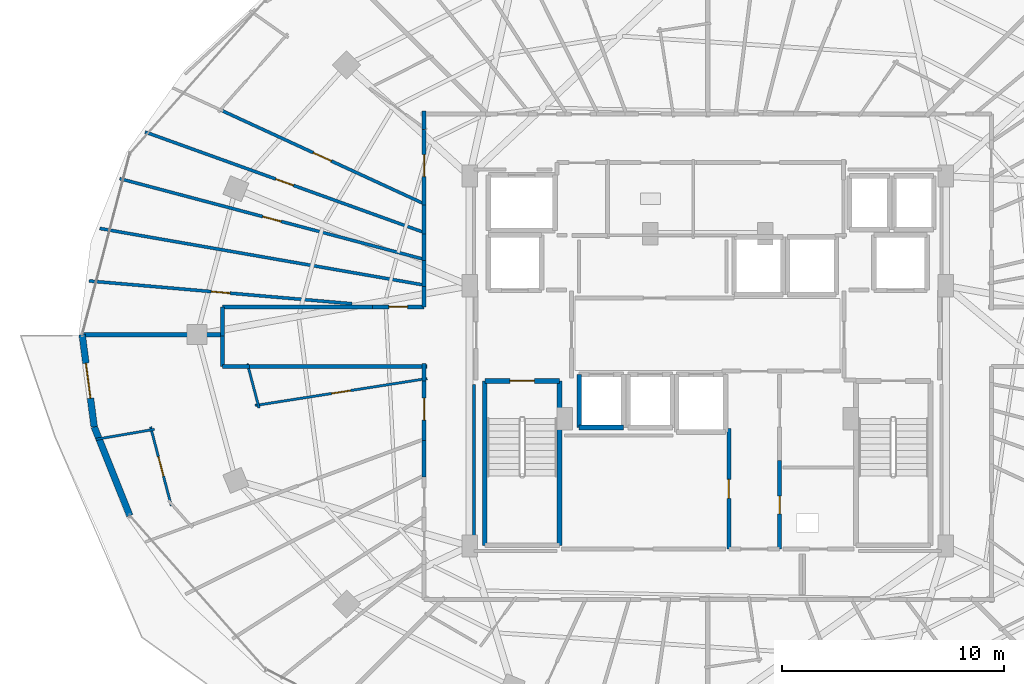
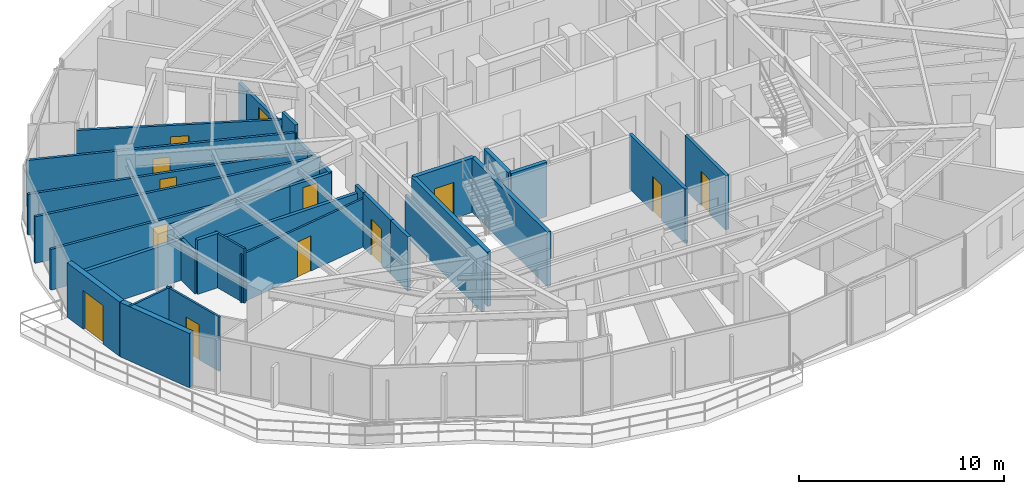
# One storey, part 24 of 33: 35 walls, 13 doors, 13 openings.
"""IFC4 building model written with IfcOpenShell, lengths in metres."""

from ifc_helpers import new_model, si_unit, direction, frame, frame_2d, origin, place, context, subcontext, project, spatial, rectangle, extrude, material, layer, layer_set, type_object, element, fill, save


model = new_model("IFC4")

# Units and contexts
model_context = context("Model", 3, precision=1e-05, world=origin(), true_north=direction((0.0, 1.0)))
body_context = subcontext(model_context, "Body", "Model", "MODEL_VIEW")
ifc_project = project(units=[si_unit("LENGTHUNIT", "METRE"), si_unit("AREAUNIT", "SQUARE_METRE"), si_unit("VOLUMEUNIT", "CUBIC_METRE"), si_unit("PLANEANGLEUNIT", "RADIAN"), si_unit("MASSUNIT", "GRAM", prefix="KILO")], contexts=[model_context])

# Site, building, storey
site_placement = place(None, origin())
site = spatial("IfcSite", under=ifc_project, at=site_placement, CompositionType="ELEMENT")
building_placement = place(site_placement, origin())
building = spatial("IfcBuilding", under=site, at=building_placement, Name="Vorneva Point Tower", CompositionType="ELEMENT")
storey_placement = place(building_placement, frame((0.0, 0.0, 179.10009765625)))
storey = spatial("IfcBuildingStorey", under=building, at=storey_placement, Name="L48", CompositionType="ELEMENT", Elevation=179.10009765625)

# Wall, opening, door
ifc_material_1 = material(Name="Precast concrete B50 (C40/50)", Category="concrete")
ifc_layer_1 = layer(ifc_material_1, 0.300048828125)
ifc_layer_set_1 = layer_set([ifc_layer_1], Name="Precast concrete B50 (C40/50)")
wall_type_1 = type_object("IfcWallType", Name="WL-EXT-300", PredefinedType="STANDARD", material=ifc_layer_set_1)
wall_1_placement = place(storey_placement, frame((9.77001953125, 26.0, 0.0), z_axis=(0.0, 0.0, 1.0), x_axis=(0.129147853268, -0.991625348605, 0.0)))
wall_1 = element("IfcWall", 1, at=wall_1_placement, inside=storey, type_object=wall_type_1, Name="L48 Pale-Metal Facade Spandrel Wall 09.1", PredefinedType="STANDARD", context=body_context, shape_type="SweptSolid", body=[
    extrude(rectangle(XDim=4.200439453125, YDim=0.300048828125, at=frame_2d((2.10009765625, 0.0))), origin(), (0.0, 0.0, 1.0), 3.239990234375),
])
opening_1_placement = place(wall_1_placement, frame((1.30029296875, 0.0, 0.0)))
opening_1 = element("IfcOpeningElement", 2, at=opening_1_placement, cuts=wall_1, Name="Opening BD-01", PredefinedType="OPENING", context=body_context, shape_type="SweptSolid", body=[
    extrude(rectangle(XDim=1.60009765625, YDim=2.300048828125, at=frame_2d((0.800048828125, 1.14990234375))), frame((0.0, 0.1650390625, 0.0), z_axis=(0.0, -1.0, 0.0), x_axis=(1.0, 0.0, 0.0)), (0.0, 0.0, 1.0), 0.329833984375),
])
ifc_material_2 = material(Name="Pale anodised aluminium", Category="aluminium")
door_type_1 = type_object("IfcDoorType", Name="DR-BAL-1600", OperationType="SLIDING_TO_LEFT", PredefinedType="DOOR", material=ifc_material_2)
door_1_placement = place(opening_1_placement, origin())
door_1 = element("IfcDoor", 3, at=door_1_placement, inside=storey, type_object=door_type_1, Name="L48 Balcony Terrace Access Door 09", OperationType="SLIDING_TO_LEFT", OverallHeight=2.300048828125, OverallWidth=1.60009765625, PredefinedType="DOOR", context=body_context, shape_type="SweptSolid", body=[
    extrude(rectangle(XDim=1.60009765625, YDim=2.300048828125, at=frame_2d((0.800048828125, 1.14990234375))), frame((0.0, 0.02490234375, 0.0), z_axis=(0.0, -1.0, 0.0), x_axis=(1.0, 0.0, 0.0)), (0.0, 0.0, 1.0), 0.050048828125),
])
fill(opening_1, door_1)

# Wall
wall_2_placement = place(storey_placement, frame((10.3125, 21.834716796875, 0.0), z_axis=(0.0, 0.0, 1.0), x_axis=(0.372268409848, -0.928125116043, 0.0)))
element("IfcWall", 4, at=wall_2_placement, inside=storey, type_object=wall_type_1, Name="L48 Pale-Metal Facade Spandrel Wall 09.2", PredefinedType="STANDARD", context=body_context, shape_type="SweptSolid", body=[
    extrude(rectangle(XDim=4.315185546875, YDim=0.300048828125, at=frame_2d((2.15771484375, 0.0))), origin(), (0.0, 0.0, 1.0), 3.239990234375),
])

# Wall, opening, door
ifc_material_3 = material(Name="Fire-rated acoustic gypsum stud partition", Category="gypsum")
ifc_layer_2 = layer(ifc_material_3, 0.110107421875)
ifc_layer_set_2 = layer_set([ifc_layer_2], Name="Fire-rated acoustic gypsum stud partition")
wall_type_2 = type_object("IfcWallType", Name="WL-PART-110", PredefinedType="PARTITIONING", material=ifc_layer_set_2)
wall_3_placement = place(storey_placement, frame((25.33837890625, 24.0146484375, 0.0), z_axis=(0.0, 0.0, 1.0), x_axis=(-0.987940229144, -0.154835731144, 0.0)))
wall_3 = element("IfcWall", 5, at=wall_3_placement, inside=storey, type_object=wall_type_2, Name="L48 Interior Partition 143", PredefinedType="PARTITIONING", context=body_context, shape_type="SweptSolid", body=[
    extrude(rectangle(XDim=7.85546875, YDim=0.110107421875, at=frame_2d((3.927734375, 0.0))), origin(), (0.0, 0.0, 1.0), 2.8740234375),
])
opening_2_placement = place(wall_3_placement, frame((3.502685546875, 0.0, 0.0)))
opening_2 = element("IfcOpeningElement", 6, at=opening_2_placement, cuts=wall_3, Name="Opening ID-02", PredefinedType="OPENING", context=body_context, shape_type="SweptSolid", body=[
    extrude(rectangle(XDim=0.85009765625, YDim=2.10009765625, at=frame_2d((0.425048828125, 1.050048828125))), frame((0.0, 0.06982421875, 0.0), z_axis=(0.0, -1.0, 0.0), x_axis=(1.0, 0.0, 0.0)), (0.0, 0.0, 1.0), 0.139892578125),
])
ifc_material_4 = material(Name="Engineered oak fire-rated door leaf", Category="wood")
door_type_2 = type_object("IfcDoorType", Name="DR-BATH-850", OperationType="NOTDEFINED", PredefinedType="DOOR", material=ifc_material_4)
door_2_placement = place(opening_2_placement, origin())
door_2 = element("IfcDoor", 7, at=door_2_placement, inside=storey, type_object=door_type_2, Name="L48 Door Living and Dining Room L48-05 / Bathroom L48-05", OperationType="SINGLE_SWING_RIGHT", OverallHeight=2.10009765625, OverallWidth=0.85009765625, PredefinedType="DOOR", context=body_context, shape_type="SweptSolid", body=[
    extrude(rectangle(XDim=0.85009765625, YDim=2.10009765625, at=frame_2d((0.425048828125, 1.050048828125))), frame((0.0, 0.02490234375, 0.0), z_axis=(0.0, -1.0, 0.0), x_axis=(1.0, 0.0, 0.0)), (0.0, 0.0, 1.0), 0.050048828125),
])
fill(opening_2, door_2)

# Walls
wall_4_placement = place(storey_placement, frame((17.751708984375, 22.6845703125, 0.0), z_axis=(0.0, 0.0, 1.0), x_axis=(-0.254429402158, 0.967091350038, 0.0)))
element("IfcWall", 8, at=wall_4_placement, inside=storey, type_object=wall_type_2, Name="L48 Interior Partition 144", PredefinedType="PARTITIONING", context=body_context, shape_type="SweptSolid", body=[
    extrude(rectangle(XDim=2.06884765625, YDim=0.110107421875, at=frame_2d((1.034423828125, 0.0))), origin(), (0.0, 0.0, 1.0), 3.239990234375),
])
wall_5_placement = place(storey_placement, frame((10.39404296875, 21.271484375, 0.0), z_axis=(0.0, 0.0, 1.0), x_axis=(0.985656128296, 0.168766100722, 0.0)))
element("IfcWall", 9, at=wall_5_placement, inside=storey, type_object=wall_type_2, Name="L48 Interior Partition 145", PredefinedType="PARTITIONING", context=body_context, shape_type="SweptSolid", body=[
    extrude(rectangle(XDim=2.67333984375, YDim=0.110107421875, at=frame_2d((1.336669921875, 0.0))), origin(), (0.0, 0.0, 1.0), 3.239990234375),
])

# Wall, opening, door
wall_6_placement = place(storey_placement, frame((12.85546875, 21.83447265625, 0.0), z_axis=(0.0, 0.0, 1.0), x_axis=(0.254271540361, -0.967132867688, 0.0)))
wall_6 = element("IfcWall", 10, at=wall_6_placement, inside=storey, type_object=wall_type_2, Name="L48 Interior Partition 146", PredefinedType="PARTITIONING", context=body_context, shape_type="SweptSolid", body=[
    extrude(rectangle(XDim=3.68505859375, YDim=0.110107421875, at=frame_2d((1.842529296875, 0.0))), origin(), (0.0, 0.0, 1.0), 3.239990234375),
])
opening_3_placement = place(wall_6_placement, frame((1.392578125, 0.0, 0.0)))
opening_3 = element("IfcOpeningElement", 11, at=opening_3_placement, cuts=wall_6, Name="Opening ID-01", PredefinedType="OPENING", context=body_context, shape_type="SweptSolid", body=[
    extrude(rectangle(XDim=0.89990234375, YDim=2.10009765625, at=frame_2d((0.449951171875, 1.050048828125))), frame((0.0, 0.06982421875, 0.0), z_axis=(0.0, -1.0, 0.0), x_axis=(1.0, 0.0, 0.0)), (0.0, 0.0, 1.0), 0.139892578125),
])
door_type_3 = type_object("IfcDoorType", Name="DR-ROOM-900", OperationType="NOTDEFINED", PredefinedType="DOOR", material=ifc_material_4)
door_3_placement = place(opening_3_placement, origin())
door_3 = element("IfcDoor", 12, at=door_3_placement, inside=storey, type_object=door_type_3, Name="L48 Door Living and Dining Room L48-05 / Kitchen L48-05", OperationType="SINGLE_SWING_LEFT", OverallHeight=2.10009765625, OverallWidth=0.89990234375, PredefinedType="DOOR", context=body_context, shape_type="SweptSolid", body=[
    extrude(rectangle(XDim=0.89990234375, YDim=2.10009765625, at=frame_2d((0.449951171875, 1.050048828125))), frame((0.0, 0.02490234375, 0.0), z_axis=(0.0, -1.0, 0.0), x_axis=(1.0, 0.0, 0.0)), (0.0, 0.0, 1.0), 0.050048828125),
])
fill(opening_3, door_3)

ifc_layer_3 = layer(ifc_material_3, 0.139892578125)
ifc_layer_set_3 = layer_set([ifc_layer_3], Name="Fire-rated acoustic gypsum stud partition")
wall_type_3 = type_object("IfcWallType", Name="WL-PART-140", PredefinedType="PARTITIONING", material=ifc_layer_set_3)
wall_7_placement = place(storey_placement, frame((16.006103515625, 36.138916015625, 0.0), z_axis=(0.0, 0.0, 1.0), x_axis=(0.908157621609, -0.41862839645, 0.0)))
wall_7 = element("IfcWall", 13, at=wall_7_placement, inside=storey, type_object=wall_type_3, Name="L48 Interior Partition 136", PredefinedType="PARTITIONING", context=body_context, shape_type="SweptSolid", body=[
    extrude(rectangle(XDim=10.12353515625, YDim=0.139892578125, at=frame_2d((5.061767578125, 0.0))), origin(), (0.0, 0.0, 1.0), 2.77392578125),
])
opening_4_placement = place(wall_7_placement, frame((4.61181640625, 0.0, 0.0)))
opening_4 = element("IfcOpeningElement", 14, at=opening_4_placement, cuts=wall_7, Name="Opening ID-01", PredefinedType="OPENING", context=body_context, shape_type="SweptSolid", body=[
    extrude(rectangle(XDim=0.89990234375, YDim=2.10009765625, at=frame_2d((0.449951171875, 1.050048828125))), frame((0.0, 0.0849609375, 0.0), z_axis=(0.0, -1.0, 0.0), x_axis=(1.0, 0.0, 0.0)), (0.0, 0.0, 1.0), 0.169677734375),
])
door_4_placement = place(opening_4_placement, origin())
door_4 = element("IfcDoor", 15, at=door_4_placement, inside=storey, type_object=door_type_3, Name="L48 Door Living and Dining Room L48-04 / Master Bedroom L48-04.1", OperationType="SINGLE_SWING_LEFT", OverallHeight=2.10009765625, OverallWidth=0.89990234375, PredefinedType="DOOR", context=body_context, shape_type="SweptSolid", body=[
    extrude(rectangle(XDim=0.89990234375, YDim=2.10009765625, at=frame_2d((0.449951171875, 1.050048828125))), frame((0.0, 0.02490234375, 0.0), z_axis=(0.0, -1.0, 0.0), x_axis=(1.0, 0.0, 0.0)), (0.0, 0.0, 1.0), 0.050048828125),
])
fill(opening_4, door_4)

wall_8_placement = place(storey_placement, frame((12.60888671875, 35.14111328125, 0.0), z_axis=(0.0, 0.0, 1.0), x_axis=(0.940877411069, -0.338747246985, 0.0)))
wall_8 = element("IfcWall", 16, at=wall_8_placement, inside=storey, type_object=wall_type_3, Name="L48 Interior Partition 138", PredefinedType="PARTITIONING", context=body_context, shape_type="SweptSolid", body=[
    extrude(rectangle(XDim=13.38232421875, YDim=0.139892578125, at=frame_2d((6.691162109375, 0.0))), origin(), (0.0, 0.0, 1.0), 2.77392578125),
])
opening_5_placement = place(wall_8_placement, frame((6.26611328125, 0.0, 0.0)))
opening_5 = element("IfcOpeningElement", 17, at=opening_5_placement, cuts=wall_8, Name="Opening ID-02", PredefinedType="OPENING", context=body_context, shape_type="SweptSolid", body=[
    extrude(rectangle(XDim=0.85009765625, YDim=2.10009765625, at=frame_2d((0.425048828125, 1.050048828125))), frame((0.0, 0.0849609375, 0.0), z_axis=(0.0, -1.0, 0.0), x_axis=(1.0, 0.0, 0.0)), (0.0, 0.0, 1.0), 0.169677734375),
])
door_5_placement = place(opening_5_placement, origin())
door_5 = element("IfcDoor", 18, at=door_5_placement, inside=storey, type_object=door_type_2, Name="L48 Access Door Master Bedroom L48-04.1", OperationType="SINGLE_SWING_LEFT", OverallHeight=2.10009765625, OverallWidth=0.85009765625, PredefinedType="DOOR", context=body_context, shape_type="SweptSolid", body=[
    extrude(rectangle(XDim=0.85009765625, YDim=2.10009765625, at=frame_2d((0.425048828125, 1.050048828125))), frame((0.0, 0.02490234375, 0.0), z_axis=(0.0, -1.0, 0.0), x_axis=(1.0, 0.0, 0.0)), (0.0, 0.0, 1.0), 0.050048828125),
])
fill(opening_5, door_5)

wall_9_placement = place(storey_placement, frame((11.465087890625, 33.035888671875, 0.0), z_axis=(0.0, 0.0, 1.0), x_axis=(0.966598137313, -0.256296782934, 0.0)))
wall_9 = element("IfcWall", 19, at=wall_9_placement, inside=storey, type_object=wall_type_3, Name="L48 Interior Partition 139", PredefinedType="PARTITIONING", context=body_context, shape_type="SweptSolid", body=[
    extrude(rectangle(XDim=14.20947265625, YDim=0.139892578125, at=frame_2d((7.104736328125, 0.0))), origin(), (0.0, 0.0, 1.0), 2.431884765625),
])
opening_6_placement = place(wall_9_placement, frame((6.6796875, 0.0, 0.0)))
opening_6 = element("IfcOpeningElement", 20, at=opening_6_placement, cuts=wall_9, Name="Opening ID-02", PredefinedType="OPENING", context=body_context, shape_type="SweptSolid", body=[
    extrude(rectangle(XDim=0.85009765625, YDim=2.10009765625, at=frame_2d((0.425048828125, 1.050048828125))), frame((0.0, 0.0849609375, 0.0), z_axis=(0.0, -1.0, 0.0), x_axis=(1.0, 0.0, 0.0)), (0.0, 0.0, 1.0), 0.169677734375),
])
door_6_placement = place(opening_6_placement, origin())
door_6 = element("IfcDoor", 21, at=door_6_placement, inside=storey, type_object=door_type_2, Name="L48 Access Door Bedroom L48-04.2", OperationType="SINGLE_SWING_RIGHT", OverallHeight=2.10009765625, OverallWidth=0.85009765625, PredefinedType="DOOR", context=body_context, shape_type="SweptSolid", body=[
    extrude(rectangle(XDim=0.85009765625, YDim=2.10009765625, at=frame_2d((0.425048828125, 1.050048828125))), frame((0.0, 0.02490234375, 0.0), z_axis=(0.0, -1.0, 0.0), x_axis=(1.0, 0.0, 0.0)), (0.0, 0.0, 1.0), 0.050048828125),
])
fill(opening_6, door_6)

# Wall
wall_10_placement = place(storey_placement, frame((10.56494140625, 30.7880859375, 0.0), z_axis=(0.0, 0.0, 1.0), x_axis=(0.985109541297, -0.171927867563, 0.0)))
element("IfcWall", 22, at=wall_10_placement, inside=storey, type_object=wall_type_3, Name="L48 Interior Partition 140", PredefinedType="PARTITIONING", context=body_context, shape_type="SweptSolid", body=[
    extrude(rectangle(XDim=14.856201171875, YDim=0.139892578125, at=frame_2d((7.42822265625, 0.0))), origin(), (0.0, 0.0, 1.0), 2.77392578125),
])

# Wall, opening, door
wall_11_placement = place(storey_placement, frame((10.0859375, 28.41796875, 0.0), z_axis=(0.0, 0.0, 1.0), x_axis=(0.996267232338, -0.08632266081, 0.0)))
wall_11 = element("IfcWall", 23, at=wall_11_placement, inside=storey, type_object=wall_type_3, Name="L48 Interior Partition 141", PredefinedType="PARTITIONING", context=body_context, shape_type="SweptSolid", body=[
    extrude(rectangle(XDim=11.90966796875, YDim=0.139892578125, at=frame_2d((5.954833984375, 0.0))), origin(), (0.0, 0.0, 1.0), 2.431884765625),
])
opening_7_placement = place(wall_11_placement, frame((5.52978515625, 0.0, 0.0)))
opening_7 = element("IfcOpeningElement", 24, at=opening_7_placement, cuts=wall_11, Name="Opening ID-02", PredefinedType="OPENING", context=body_context, shape_type="SweptSolid", body=[
    extrude(rectangle(XDim=0.85009765625, YDim=2.10009765625, at=frame_2d((0.425048828125, 1.050048828125))), frame((0.0, 0.0849609375, 0.0), z_axis=(0.0, -1.0, 0.0), x_axis=(1.0, 0.0, 0.0)), (0.0, 0.0, 1.0), 0.169677734375),
])
door_7_placement = place(opening_7_placement, origin())
door_7 = element("IfcDoor", 25, at=door_7_placement, inside=storey, type_object=door_type_2, Name="L48 Access Door Bedroom L48-04.4", OperationType="SINGLE_SWING_LEFT", OverallHeight=2.10009765625, OverallWidth=0.85009765625, PredefinedType="DOOR", context=body_context, shape_type="SweptSolid", body=[
    extrude(rectangle(XDim=0.85009765625, YDim=2.10009765625, at=frame_2d((0.425048828125, 1.050048828125))), frame((0.0, 0.02490234375, 0.0), z_axis=(0.0, -1.0, 0.0), x_axis=(1.0, 0.0, 0.0)), (0.0, 0.0, 1.0), 0.050048828125),
])
fill(opening_7, door_7)

# Wall
wall_12_placement = place(storey_placement, frame((27.449951171875, 23.75390625, 0.0), z_axis=(0.0, 0.0, 1.0), x_axis=(0.0, -1.0, 0.0)))
element("IfcWall", 26, at=wall_12_placement, inside=storey, type_object=wall_type_3, Name="L48 Interior Closure Partition 204", PredefinedType="PARTITIONING", context=body_context, shape_type="SweptSolid", body=[
    extrude(rectangle(XDim=7.513916015625, YDim=0.139892578125, at=frame_2d((3.7568359375, 0.0))), origin(), (0.0, 0.0, 1.0), 2.431884765625),
])

# Wall, opening, door
ifc_material_5 = material(Name="Autoclaved aerated concrete blockwork", Category="masonry")
ifc_layer_4 = layer(ifc_material_5, 0.179931640625)
ifc_layer_set_4 = layer_set([ifc_layer_4], Name="Autoclaved aerated concrete blockwork")
wall_type_4 = type_object("IfcWallType", Name="WL-PART-180", PredefinedType="PARTITIONING", material=ifc_layer_set_4)
wall_13_placement = place(storey_placement, frame((41.25, 16.320068359375, 0.0), z_axis=(0.0, 0.0, 1.0), x_axis=(0.0, 1.0, 0.0)))
wall_13 = element("IfcWall", 27, at=wall_13_placement, inside=storey, type_object=wall_type_4, Name="L48 Interior Partition 013", PredefinedType="PARTITIONING", context=body_context, shape_type="SweptSolid", body=[
    extrude(rectangle(XDim=3.98486328125, YDim=0.179931640625, at=frame_2d((1.992431640625, 0.0))), origin(), (0.0, 0.0, 1.0), 3.239990234375),
])
opening_8_placement = place(wall_13_placement, frame((1.592529296875, 0.0, 0.0)))
opening_8 = element("IfcOpeningElement", 28, at=opening_8_placement, cuts=wall_13, Name="Opening RD-01", PredefinedType="OPENING", context=body_context, shape_type="SweptSolid", body=[
    extrude(rectangle(XDim=0.800048828125, YDim=2.050048828125, at=frame_2d((0.39990234375, 1.02490234375))), frame((0.0, 0.10498046875, 0.0), z_axis=(0.0, -1.0, 0.0), x_axis=(1.0, 0.0, 0.0)), (0.0, 0.0, 1.0), 0.209716796875),
])
ifc_material_6 = material(Name="Fire-rated powder-coated steel", Category="steel")
door_type_4 = type_object("IfcDoorType", Name="DR-RSR-800", OperationType="SINGLE_SWING_LEFT", PredefinedType="DOOR", material=ifc_material_6)
door_8_placement = place(opening_8_placement, origin())
door_8 = element("IfcDoor", 29, at=door_8_placement, inside=storey, type_object=door_type_4, Name="L48 Door Core Service Lobby / Electrical Riser", OperationType="SINGLE_SWING_LEFT", OverallHeight=2.050048828125, OverallWidth=0.800048828125, PredefinedType="DOOR", context=body_context, shape_type="SweptSolid", body=[
    extrude(rectangle(XDim=0.800048828125, YDim=2.050048828125, at=frame_2d((0.39990234375, 1.02490234375))), frame((0.0, 0.02490234375, 0.0), z_axis=(0.0, -1.0, 0.0), x_axis=(1.0, 0.0, 0.0)), (0.0, 0.0, 1.0), 0.050048828125),
])
fill(opening_8, door_8)

wall_14_placement = place(storey_placement, frame((38.949951171875, 21.7548828125, 0.0), z_axis=(0.0, 0.0, 1.0), x_axis=(0.0, -1.0, 0.0)))
wall_14 = element("IfcWall", 30, at=wall_14_placement, inside=storey, type_object=wall_type_4, Name="L48 Interior Partition 015", PredefinedType="PARTITIONING", context=body_context, shape_type="SweptSolid", body=[
    extrude(rectangle(XDim=5.434814453125, YDim=0.179931640625, at=frame_2d((2.71728515625, 0.0))), origin(), (0.0, 0.0, 1.0), 3.239990234375),
])
opening_9_placement = place(wall_14_placement, frame((2.29248046875, 0.0, 0.0)))
opening_9 = element("IfcOpeningElement", 31, at=opening_9_placement, cuts=wall_14, Name="Opening ID-02", PredefinedType="OPENING", context=body_context, shape_type="SweptSolid", body=[
    extrude(rectangle(XDim=0.85009765625, YDim=2.10009765625, at=frame_2d((0.425048828125, 1.050048828125))), frame((0.0, 0.10498046875, 0.0), z_axis=(0.0, -1.0, 0.0), x_axis=(1.0, 0.0, 0.0)), (0.0, 0.0, 1.0), 0.209716796875),
])
door_9_placement = place(opening_9_placement, origin())
door_9 = element("IfcDoor", 32, at=door_9_placement, inside=storey, type_object=door_type_2, Name="L48 Door Core Service Lobby / Floor Storage Room", OperationType="SINGLE_SWING_LEFT", OverallHeight=2.10009765625, OverallWidth=0.85009765625, PredefinedType="DOOR", context=body_context, shape_type="SweptSolid", body=[
    extrude(rectangle(XDim=0.85009765625, YDim=2.10009765625, at=frame_2d((0.425048828125, 1.050048828125))), frame((0.0, 0.02490234375, 0.0), z_axis=(0.0, -1.0, 0.0), x_axis=(1.0, 0.0, 0.0)), (0.0, 0.0, 1.0), 0.050048828125),
])
fill(opening_9, door_9)

wall_15_placement = place(storey_placement, frame((25.199951171875, 35.404052734375, 0.0), z_axis=(0.0, 0.0, 1.0), x_axis=(0.0, -1.0, 0.0)))
wall_15 = element("IfcWall", 33, at=wall_15_placement, inside=storey, type_object=wall_type_4, Name="L48 Interior Partition 048", PredefinedType="PARTITIONING", context=body_context, shape_type="SweptSolid", body=[
    extrude(rectangle(XDim=3.56298828125, YDim=0.179931640625, at=frame_2d((1.781494140625, 0.0))), origin(), (0.0, 0.0, 1.0), 2.431884765625),
])
opening_10_placement = place(wall_15_placement, frame((1.281494140625, 0.0, 0.0)))
opening_10 = element("IfcOpeningElement", 34, at=opening_10_placement, cuts=wall_15, Name="Opening UD-01", PredefinedType="OPENING", context=body_context, shape_type="SweptSolid", body=[
    extrude(rectangle(XDim=1.0, YDim=2.14990234375, at=frame_2d((0.5, 1.074951171875))), frame((0.0, 0.10498046875, 0.0), z_axis=(0.0, -1.0, 0.0), x_axis=(1.0, 0.0, 0.0)), (0.0, 0.0, 1.0), 0.209716796875),
])
door_type_5 = type_object("IfcDoorType", Name="DR-UNIT-1000", OperationType="NOTDEFINED", PredefinedType="DOOR", material=ifc_material_4)
door_10_placement = place(opening_10_placement, origin())
door_10 = element("IfcDoor", 35, at=door_10_placement, inside=storey, type_object=door_type_5, Name="L48 Door L48 Circulation Corridor / Living and Dining Room L48-04", OperationType="SINGLE_SWING_LEFT", OverallHeight=2.14990234375, OverallWidth=1.0, PredefinedType="DOOR", context=body_context, shape_type="SweptSolid", body=[
    extrude(rectangle(XDim=1.0, YDim=2.14990234375, at=frame_2d((0.5, 1.074951171875))), frame((0.0, 0.02490234375, 0.0), z_axis=(0.0, -1.0, 0.0), x_axis=(1.0, 0.0, 0.0)), (0.0, 0.0, 1.0), 0.050048828125),
])
fill(opening_10, door_10)

# Walls
wall_16_placement = place(storey_placement, frame((25.199951171875, 36.090087890625, 0.0), z_axis=(0.0, 0.0, 1.0), x_axis=(0.0, -1.0, 0.0)))
element("IfcWall", 36, at=wall_16_placement, inside=storey, type_object=wall_type_4, Name="L48 Interior Partition 050", PredefinedType="PARTITIONING", context=body_context, shape_type="SweptSolid", body=[
    extrude(rectangle(XDim=0.826171875, YDim=0.179931640625, at=frame_2d((0.4130859375, 0.0))), origin(), (0.0, 0.0, 1.0), 2.431884765625),
])
wall_17_placement = place(storey_placement, frame((25.199951171875, 31.841064453125, 0.0), z_axis=(0.0, 0.0, 1.0), x_axis=(0.0, -1.0, 0.0)))
element("IfcWall", 37, at=wall_17_placement, inside=storey, type_object=wall_type_4, Name="L48 Interior Partition 051", PredefinedType="PARTITIONING", context=body_context, shape_type="SweptSolid", body=[
    extrude(rectangle(XDim=1.29296875, YDim=0.179931640625, at=frame_2d((0.646484375, 0.0))), origin(), (0.0, 0.0, 1.0), 3.239990234375),
])
wall_18_placement = place(storey_placement, frame((25.199951171875, 30.548095703125, 0.0), z_axis=(0.0, 0.0, 1.0), x_axis=(0.0, -1.0, 0.0)))
element("IfcWall", 38, at=wall_18_placement, inside=storey, type_object=wall_type_4, Name="L48 Interior Partition 052", PredefinedType="PARTITIONING", context=body_context, shape_type="SweptSolid", body=[
    extrude(rectangle(XDim=1.214111328125, YDim=0.179931640625, at=frame_2d((0.60693359375, 0.0))), origin(), (0.0, 0.0, 1.0), 2.431884765625),
])
wall_19_placement = place(storey_placement, frame((25.199951171875, 29.333984375, 0.0), z_axis=(0.0, 0.0, 1.0), x_axis=(0.0, -1.0, 0.0)))
element("IfcWall", 39, at=wall_19_placement, inside=storey, type_object=wall_type_4, Name="L48 Interior Partition 053", PredefinedType="PARTITIONING", context=body_context, shape_type="SweptSolid", body=[
    extrude(rectangle(XDim=1.159912109375, YDim=0.179931640625, at=frame_2d((0.580078125, 0.0))), origin(), (0.0, 0.0, 1.0), 2.431884765625),
])
wall_20_placement = place(storey_placement, frame((25.199951171875, 28.174072265625, 0.0), z_axis=(0.0, 0.0, 1.0), x_axis=(0.0, -1.0, 0.0)))
element("IfcWall", 40, at=wall_20_placement, inside=storey, type_object=wall_type_4, Name="L48 Interior Partition 054", PredefinedType="PARTITIONING", context=body_context, shape_type="SweptSolid", body=[
    extrude(rectangle(XDim=0.924072265625, YDim=0.179931640625, at=frame_2d((0.4619140625, 0.0))), origin(), (0.0, 0.0, 1.0), 2.431884765625),
])

# Wall, opening, door
wall_21_placement = place(storey_placement, frame((25.199951171875, 27.25, 0.0), z_axis=(0.0, 0.0, 1.0), x_axis=(-1.0, 0.0, 0.0)))
wall_21 = element("IfcWall", 41, at=wall_21_placement, inside=storey, type_object=wall_type_4, Name="L48 Interior Partition 055", PredefinedType="PARTITIONING", context=body_context, shape_type="SweptSolid", body=[
    extrude(rectangle(XDim=2.327880859375, YDim=0.179931640625, at=frame_2d((1.1640625, 0.0))), origin(), (0.0, 0.0, 1.0), 2.431884765625),
])
opening_11_placement = place(wall_21_placement, frame((0.739013671875, 0.0, 0.0)))
opening_11 = element("IfcOpeningElement", 42, at=opening_11_placement, cuts=wall_21, Name="Opening ID-02", PredefinedType="OPENING", context=body_context, shape_type="SweptSolid", body=[
    extrude(rectangle(XDim=0.85009765625, YDim=2.10009765625, at=frame_2d((0.425048828125, 1.050048828125))), frame((0.0, 0.10498046875, 0.0), z_axis=(0.0, -1.0, 0.0), x_axis=(1.0, 0.0, 0.0)), (0.0, 0.0, 1.0), 0.209716796875),
])
door_11_placement = place(opening_11_placement, origin())
door_11 = element("IfcDoor", 43, at=door_11_placement, inside=storey, type_object=door_type_2, Name="L48 Access Door L48 Circulation Corridor", OperationType="SINGLE_SWING_LEFT", OverallHeight=2.10009765625, OverallWidth=0.85009765625, PredefinedType="DOOR", context=body_context, shape_type="SweptSolid", body=[
    extrude(rectangle(XDim=0.85009765625, YDim=2.10009765625, at=frame_2d((0.425048828125, 1.050048828125))), frame((0.0, 0.02490234375, 0.0), z_axis=(0.0, -1.0, 0.0), x_axis=(1.0, 0.0, 0.0)), (0.0, 0.0, 1.0), 0.050048828125),
])
fill(opening_11, door_11)

# Walls
wall_22_placement = place(storey_placement, frame((16.10009765625, 27.25, 0.0), z_axis=(0.0, 0.0, 1.0), x_axis=(0.0, -1.0, 0.0)))
element("IfcWall", 44, at=wall_22_placement, inside=storey, type_object=wall_type_4, Name="L48 Interior Partition 056", PredefinedType="PARTITIONING", context=body_context, shape_type="SweptSolid", body=[
    extrude(rectangle(XDim=1.31005859375, YDim=0.179931640625, at=frame_2d((0.655029296875, 0.0))), origin(), (0.0, 0.0, 1.0), 2.431884765625),
])
wall_23_placement = place(storey_placement, frame((22.8720703125, 27.25, 0.0), z_axis=(0.0, 0.0, 1.0), x_axis=(-1.0, 0.0, 0.0)))
element("IfcWall", 45, at=wall_23_placement, inside=storey, type_object=wall_type_4, Name="L48 Interior Partition 057", PredefinedType="PARTITIONING", context=body_context, shape_type="SweptSolid", body=[
    extrude(rectangle(XDim=6.77197265625, YDim=0.179931640625, at=frame_2d((3.385986328125, 0.0))), origin(), (0.0, 0.0, 1.0), 2.431884765625),
])
wall_24_placement = place(storey_placement, frame((16.10009765625, 25.93994140625, 0.0), z_axis=(0.0, 0.0, 1.0), x_axis=(0.0, -1.0, 0.0)))
element("IfcWall", 46, at=wall_24_placement, inside=storey, type_object=wall_type_4, Name="L48 Interior Partition 058", PredefinedType="PARTITIONING", context=body_context, shape_type="SweptSolid", body=[
    extrude(rectangle(XDim=1.389892578125, YDim=0.179931640625, at=frame_2d((0.69482421875, 0.0))), origin(), (0.0, 0.0, 1.0), 2.431884765625),
])
wall_25_placement = place(storey_placement, frame((16.10009765625, 24.550048828125, 0.0), z_axis=(0.0, 0.0, 1.0), x_axis=(1.0, 0.0, 0.0)))
element("IfcWall", 47, at=wall_25_placement, inside=storey, type_object=wall_type_4, Name="L48 Interior Partition 059", PredefinedType="PARTITIONING", context=body_context, shape_type="SweptSolid", body=[
    extrude(rectangle(XDim=1.222900390625, YDim=0.179931640625, at=frame_2d((0.611328125, 0.0))), origin(), (0.0, 0.0, 1.0), 3.239990234375),
])

# Wall, opening, door
wall_26_placement = place(storey_placement, frame((25.199951171875, 24.052978515625, 0.0), z_axis=(0.0, 0.0, 1.0), x_axis=(0.0, -1.0, 0.0)))
wall_26 = element("IfcWall", 48, at=wall_26_placement, inside=storey, type_object=wall_type_4, Name="L48 Interior Partition 060", PredefinedType="PARTITIONING", context=body_context, shape_type="SweptSolid", body=[
    extrude(rectangle(XDim=2.8388671875, YDim=0.179931640625, at=frame_2d((1.41943359375, 0.0))), origin(), (0.0, 0.0, 1.0), 3.239990234375),
])
opening_12_placement = place(wall_26_placement, frame((0.91943359375, 0.0, 0.0)))
opening_12 = element("IfcOpeningElement", 49, at=opening_12_placement, cuts=wall_26, Name="Opening UD-01", PredefinedType="OPENING", context=body_context, shape_type="SweptSolid", body=[
    extrude(rectangle(XDim=1.0, YDim=2.14990234375, at=frame_2d((0.5, 1.074951171875))), frame((0.0, 0.10498046875, 0.0), z_axis=(0.0, -1.0, 0.0), x_axis=(1.0, 0.0, 0.0)), (0.0, 0.0, 1.0), 0.209716796875),
])
door_12_placement = place(opening_12_placement, origin())
door_12 = element("IfcDoor", 50, at=door_12_placement, inside=storey, type_object=door_type_5, Name="L48 Door L48 Circulation Corridor / Living and Dining Room L48-05", OperationType="SINGLE_SWING_RIGHT", OverallHeight=2.14990234375, OverallWidth=1.0, PredefinedType="DOOR", context=body_context, shape_type="SweptSolid", body=[
    extrude(rectangle(XDim=1.0, YDim=2.14990234375, at=frame_2d((0.5, 1.074951171875))), frame((0.0, 0.02490234375, 0.0), z_axis=(0.0, -1.0, 0.0), x_axis=(1.0, 0.0, 0.0)), (0.0, 0.0, 1.0), 0.050048828125),
])
fill(opening_12, door_12)

# Walls
wall_27_placement = place(storey_placement, frame((17.18310546875, 24.550048828125, 0.0), z_axis=(0.0, 0.0, 1.0), x_axis=(1.0, 0.0, 0.0)))
element("IfcWall", 51, at=wall_27_placement, inside=storey, type_object=wall_type_4, Name="L48 Interior Partition 061", PredefinedType="PARTITIONING", context=body_context, shape_type="SweptSolid", body=[
    extrude(rectangle(XDim=8.156982421875, YDim=0.179931640625, at=frame_2d((4.07861328125, 0.0))), origin(), (0.0, 0.0, 1.0), 2.8740234375),
])
wall_28_placement = place(storey_placement, frame((25.199951171875, 24.68994140625, 0.0), z_axis=(0.0, 0.0, 1.0), x_axis=(0.0, -1.0, 0.0)))
element("IfcWall", 52, at=wall_28_placement, inside=storey, type_object=wall_type_4, Name="L48 Interior Partition 062", PredefinedType="PARTITIONING", context=body_context, shape_type="SweptSolid", body=[
    extrude(rectangle(XDim=0.77685546875, YDim=0.179931640625, at=frame_2d((0.388427734375, 0.0))), origin(), (0.0, 0.0, 1.0), 3.239990234375),
])
wall_29_placement = place(storey_placement, frame((25.199951171875, 21.214111328125, 0.0), z_axis=(0.0, 0.0, 1.0), x_axis=(0.0, -1.0, 0.0)))
element("IfcWall", 53, at=wall_29_placement, inside=storey, type_object=wall_type_4, Name="L48 Interior Partition 063", PredefinedType="PARTITIONING", context=body_context, shape_type="SweptSolid", body=[
    extrude(rectangle(XDim=1.64501953125, YDim=0.179931640625, at=frame_2d((0.822509765625, 0.0))), origin(), (0.0, 0.0, 1.0), 3.239990234375),
])
ifc_layer_5 = layer(ifc_material_5, 0.199951171875)
ifc_layer_set_5 = layer_set([ifc_layer_5], Name="Autoclaved aerated concrete blockwork")
wall_type_5 = type_object("IfcWallType", Name="WL-PART-200", PredefinedType="PARTITIONING", material=ifc_layer_set_5)
wall_30_placement = place(storey_placement, frame((9.77099609375, 26.0, 0.0), z_axis=(0.0, 0.0, 1.0), x_axis=(1.0, 0.0, 0.0)))
element("IfcWall", 54, at=wall_30_placement, inside=storey, type_object=wall_type_5, Name="L48 Interior Partition 142", PredefinedType="PARTITIONING", context=body_context, shape_type="SweptSolid", body=[
    extrude(rectangle(XDim=6.3291015625, YDim=0.199951171875, at=frame_2d((3.16455078125, 0.0))), origin(), (0.0, 0.0, 1.0), 2.431884765625),
])

# Wall, opening, door
ifc_material_7 = material(Name="Concrete B50 (C40/50)", Category="concrete")
ifc_layer_6 = layer(ifc_material_7, 0.219970703125)
ifc_layer_set_6 = layer_set([ifc_layer_6], Name="Concrete B50 (C40/50)")
wall_type_6 = type_object("IfcWallType", Name="WL-SHFT-220", PredefinedType="SOLIDWALL", material=ifc_layer_set_6)
wall_31_placement = place(storey_placement, frame((27.93994140625, 23.909912109375, 0.0), z_axis=(0.0, 0.0, 1.0), x_axis=(1.0, 0.0, 0.0)))
wall_31 = element("IfcWall", 55, at=wall_31_placement, inside=storey, type_object=wall_type_6, Name="L48 Exit Stair ST1 Shaft Wall near", PredefinedType="SOLIDWALL", context=body_context, shape_type="SweptSolid", body=[
    extrude(rectangle(XDim=3.3701171875, YDim=0.219970703125, at=frame_2d((1.68505859375, 0.0))), origin(), (0.0, 0.0, 1.0), 3.239990234375),
])
opening_13_placement = place(wall_31_placement, frame((1.135009765625, 0.0, 0.0)))
opening_13 = element("IfcOpeningElement", 56, at=opening_13_placement, cuts=wall_31, Name="Opening FD-01", PredefinedType="OPENING", context=body_context, shape_type="SweptSolid", body=[
    extrude(rectangle(XDim=1.10009765625, YDim=2.14990234375, at=frame_2d((0.550048828125, 1.074951171875))), frame((0.0, 0.125, 0.0), z_axis=(0.0, -1.0, 0.0), x_axis=(1.0, 0.0, 0.0)), (0.0, 0.0, 1.0), 0.249755859375),
])
door_type_6 = type_object("IfcDoorType", Name="DR-STAIR-1100", OperationType="NOTDEFINED", PredefinedType="DOOR", material=ifc_material_6)
door_13_placement = place(opening_13_placement, origin())
door_13 = element("IfcDoor", 57, at=door_13_placement, inside=storey, type_object=door_type_6, Name="L48 Exit Stair ST1 Fire Door", OperationType="SINGLE_SWING_RIGHT", OverallHeight=2.14990234375, OverallWidth=1.10009765625, PredefinedType="DOOR", context=body_context, shape_type="SweptSolid", body=[
    extrude(rectangle(XDim=1.10009765625, YDim=2.14990234375, at=frame_2d((0.550048828125, 1.074951171875))), frame((0.0, 0.02490234375, 0.0), z_axis=(0.0, -1.0, 0.0), x_axis=(1.0, 0.0, 0.0)), (0.0, 0.0, 1.0), 0.050048828125),
])
fill(opening_13, door_13)

# Walls
for number, where, z_axis, x_axis, name in (
    (58, (31.31005859375, 23.909912109375, 0.0), (0.0, 0.0, 1.0), (0.0, -1.0, 0.0), "L48 Exit Stair ST1 Shaft Wall right"),
    (59, (27.93994140625, 16.489990234375, 0.0), (0.0, 0.0, 1.0), (0.0, 1.0, 0.0), "L48 Exit Stair ST1 Shaft Wall left"),
):
    element("IfcWall", number, at=place(storey_placement, frame(where, z_axis=z_axis, x_axis=x_axis)), inside=storey, type_object=wall_type_6, Name=name, PredefinedType="SOLIDWALL", context=body_context, shape_type="SweptSolid", body=[
        extrude(rectangle(XDim=7.419921875, YDim=0.219970703125, at=frame_2d((3.7099609375, 0.0))), origin(), (0.0, 0.0, 1.0), 3.239990234375),
    ])
wall_32_placement = place(storey_placement, frame((32.199951171875, 21.800048828125, 0.0), z_axis=(0.0, 0.0, 1.0), x_axis=(1.0, 0.0, 0.0)))
element("IfcWall", 60, at=wall_32_placement, inside=storey, type_object=wall_type_6, Name="L48 Lift PL4 Shaft Wall -Y", PredefinedType="SOLIDWALL", context=body_context, shape_type="SweptSolid", body=[
    extrude(rectangle(XDim=2.0, YDim=0.219970703125, at=frame_2d((1.0, 0.0))), origin(), (0.0, 0.0, 1.0), 3.239990234375),
])
wall_33_placement = place(storey_placement, frame((32.199951171875, 24.199951171875, 0.0), z_axis=(0.0, 0.0, 1.0), x_axis=(0.0, -1.0, 0.0)))
element("IfcWall", 61, at=wall_33_placement, inside=storey, type_object=wall_type_6, Name="L48 Lift PL4 Shaft Wall -X", PredefinedType="SOLIDWALL", context=body_context, shape_type="SweptSolid", body=[
    extrude(rectangle(XDim=2.39990234375, YDim=0.219970703125, at=frame_2d((1.199951171875, 0.0))), origin(), (0.0, 0.0, 1.0), 3.239990234375),
])

save(model, "model.ifc")
